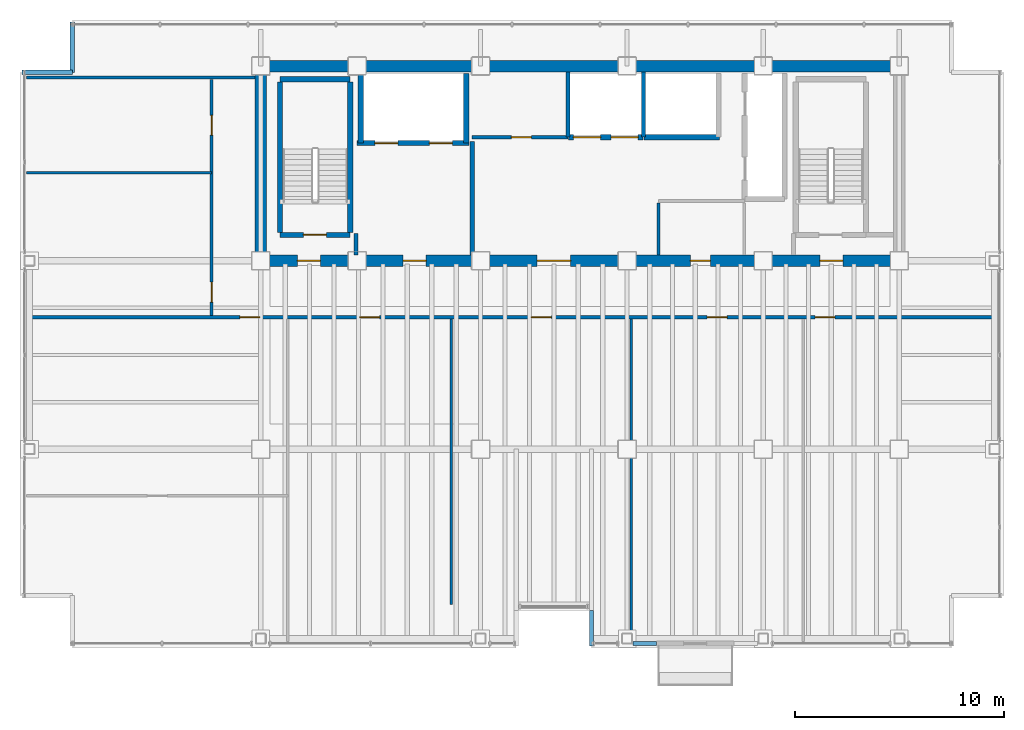
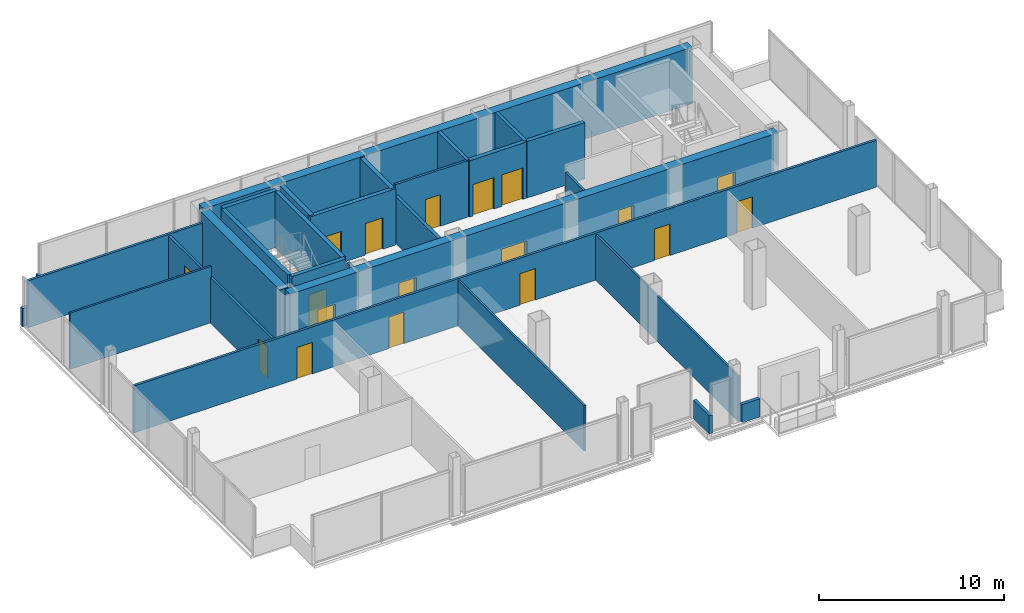
# One storey, part 18 of 20: 28 walls, 18 doors, 18 openings.
"""IFC4 building model written with IfcOpenShell, lengths in metres."""

from ifc_helpers import new_model, si_unit, direction, frame, frame_2d, origin, place, context, subcontext, project, spatial, rectangle, extrude, material, layer, layer_set, type_object, element, fill, save


model = new_model("IFC4")

# Units and contexts
model_context = context("Model", 3, precision=1e-05, world=origin(), true_north=direction((0.0, 1.0)))
body_context = subcontext(model_context, "Body", "Model", "MODEL_VIEW")
ifc_project = project(units=[si_unit("LENGTHUNIT", "METRE"), si_unit("AREAUNIT", "SQUARE_METRE"), si_unit("VOLUMEUNIT", "CUBIC_METRE"), si_unit("PLANEANGLEUNIT", "RADIAN"), si_unit("MASSUNIT", "GRAM", prefix="KILO")], contexts=[model_context])

# Site, building, storey
site_placement = place(None, origin())
site = spatial("IfcSite", under=ifc_project, at=site_placement, CompositionType="ELEMENT")
building_placement = place(site_placement, origin())
building = spatial("IfcBuilding", under=site, at=building_placement, Name="Noeulbin Bourse Tower", CompositionType="ELEMENT")
storey_placement = place(building_placement, frame((0.0, 0.0, 122.699951171875)))
storey = spatial("IfcBuildingStorey", under=building, at=storey_placement, Name="L30", CompositionType="ELEMENT", Elevation=122.699951171875)

# Wall, openings, doors
ifc_material_1 = material(Name="Concrete C60/75", Category="concrete")
ifc_layer_1 = layer(ifc_material_1, 0.550048828125)
ifc_layer_set_1 = layer_set([ifc_layer_1], Name="Concrete C60/75")
wall_type_1 = type_object("IfcWallType", Name="WAL-CORE-550", PredefinedType="SHEAR", material=ifc_layer_set_1)
wall_1_placement = place(storey_placement, frame((13.5, 29.0, 0.0), z_axis=(0.0, 0.0, 1.0), x_axis=(1.0, 0.0, 0.0)))
wall_1 = element("IfcWall", 1, at=wall_1_placement, inside=storey, type_object=wall_type_1, Name="Rear Core South Shear Wall L30", PredefinedType="SHEAR", context=body_context, shape_type="SweptSolid", body=[
    extrude(rectangle(XDim=30.5, YDim=0.550048828125, at=frame_2d((15.25, 0.0))), origin(), (0.0, 0.0, 1.0), 3.719970703125),
])
opening_1_placement = place(wall_1_placement, frame((1.75, 0.0, 0.0)))
opening_1 = element("IfcOpeningElement", 2, at=opening_1_placement, cuts=wall_1, Name="Opening FD-11", PredefinedType="OPENING", context=body_context, shape_type="SweptSolid", body=[
    extrude(rectangle(XDim=1.10009765625, YDim=2.080078125, at=frame_2d((0.550048828125, 1.0400390625))), frame((0.0, 0.284912109375, 0.0), z_axis=(0.0, -1.0, 0.0), x_axis=(1.0, 0.0, 0.0)), (0.0, 0.0, 1.0), 0.570068359375),
])
opening_2_placement = place(wall_1_placement, frame((26.699951171875, 0.0, 0.0)))
opening_2 = element("IfcOpeningElement", 3, at=opening_2_placement, cuts=wall_1, Name="Opening FD-11", PredefinedType="OPENING", context=body_context, shape_type="SweptSolid", body=[
    extrude(rectangle(XDim=1.10009765625, YDim=2.080078125, at=frame_2d((0.550048828125, 1.0400390625))), frame((0.0, 0.284912109375, 0.0), z_axis=(0.0, -1.0, 0.0), x_axis=(1.0, 0.0, 0.0)), (0.0, 0.0, 1.0), 0.570068359375),
])
opening_3_placement = place(wall_1_placement, frame((6.800048828125, 0.0, 0.0)))
opening_3 = element("IfcOpeningElement", 4, at=opening_3_placement, cuts=wall_1, Name="Opening FD-11", PredefinedType="OPENING", context=body_context, shape_type="SweptSolid", body=[
    extrude(rectangle(XDim=1.10009765625, YDim=2.080078125, at=frame_2d((0.550048828125, 1.0400390625))), frame((0.0, 0.284912109375, 0.0), z_axis=(0.0, -1.0, 0.0), x_axis=(1.0, 0.0, 0.0)), (0.0, 0.0, 1.0), 0.570068359375),
])
opening_4_placement = place(wall_1_placement, frame((13.199951171875, 0.0, 0.0)))
opening_4 = element("IfcOpeningElement", 5, at=opening_4_placement, cuts=wall_1, Name="Opening ID-16", PredefinedType="OPENING", context=body_context, shape_type="SweptSolid", body=[
    extrude(rectangle(XDim=1.60009765625, YDim=2.080078125, at=frame_2d((0.800048828125, 1.0400390625))), frame((0.0, 0.284912109375, 0.0), z_axis=(0.0, -1.0, 0.0), x_axis=(1.0, 0.0, 0.0)), (0.0, 0.0, 1.0), 0.570068359375),
])
opening_5_placement = place(wall_1_placement, frame((20.52490234375, 0.0, 0.0)))
opening_5 = element("IfcOpeningElement", 6, at=opening_5_placement, cuts=wall_1, Name="Opening ID-09", PredefinedType="OPENING", context=body_context, shape_type="SweptSolid", body=[
    extrude(rectangle(XDim=0.949951171875, YDim=2.080078125, at=frame_2d((0.47509765625, 1.0400390625))), frame((0.0, 0.284912109375, 0.0), z_axis=(0.0, -1.0, 0.0), x_axis=(1.0, 0.0, 0.0)), (0.0, 0.0, 1.0), 0.570068359375),
])
ifc_material_2 = material(Name="Acoustic Glazed Aluminium", Category="aluminium")
door_type_1 = type_object("IfcDoorType", Name="DR-DBL-1600", OperationType="DOUBLE_DOOR_SINGLE_SWING", PredefinedType="DOOR", material=ifc_material_2)
door_1_placement = place(opening_4_placement, origin())
door_1 = element("IfcDoor", 7, at=door_1_placement, inside=storey, type_object=door_type_1, Name="Passenger Lift Lobby Portal L30", OperationType="DOUBLE_DOOR_SINGLE_SWING", OverallHeight=2.080078125, OverallWidth=1.60009765625, PredefinedType="DOOR", context=body_context, shape_type="SweptSolid", body=[
    extrude(rectangle(XDim=1.60009765625, YDim=2.080078125, at=frame_2d((0.800048828125, 1.0400390625))), frame((0.0, 0.02490234375, 0.0), z_axis=(0.0, -1.0, 0.0), x_axis=(1.0, 0.0, 0.0)), (0.0, 0.0, 1.0), 0.050048828125),
])
fill(opening_4, door_1)
ifc_material_3 = material(Name="Fire-Rated Insulated Steel", Category="steel")
door_type_2 = type_object("IfcDoorType", Name="DR-FD60-1100", OperationType="SINGLE_SWING_LEFT", PredefinedType="DOOR", material=ifc_material_3)
door_2_placement = place(opening_1_placement, origin())
door_2 = element("IfcDoor", 8, at=door_2_placement, inside=storey, type_object=door_type_2, Name="West Stair Lobby Door L30", OperationType="SINGLE_SWING_LEFT", OverallHeight=2.080078125, OverallWidth=1.10009765625, PredefinedType="DOOR", context=body_context, shape_type="SweptSolid", body=[
    extrude(rectangle(XDim=1.10009765625, YDim=2.080078125, at=frame_2d((0.550048828125, 1.0400390625))), frame((0.0, 0.02490234375, 0.0), z_axis=(0.0, -1.0, 0.0), x_axis=(1.0, 0.0, 0.0)), (0.0, 0.0, 1.0), 0.050048828125),
])
fill(opening_1, door_2)
door_3_placement = place(opening_2_placement, origin())
door_3 = element("IfcDoor", 9, at=door_3_placement, inside=storey, type_object=door_type_2, Name="East Stair Lobby Door L30", OperationType="SINGLE_SWING_RIGHT", OverallHeight=2.080078125, OverallWidth=1.10009765625, PredefinedType="DOOR", context=body_context, shape_type="SweptSolid", body=[
    extrude(rectangle(XDim=1.10009765625, YDim=2.080078125, at=frame_2d((0.550048828125, 1.0400390625))), frame((0.0, 0.02490234375, 0.0), z_axis=(0.0, -1.0, 0.0), x_axis=(1.0, 0.0, 0.0)), (0.0, 0.0, 1.0), 0.050048828125),
])
fill(opening_2, door_3)
door_4_placement = place(opening_3_placement, origin())
door_4 = element("IfcDoor", 10, at=door_4_placement, inside=storey, type_object=door_type_2, Name="Firefighting Lobby Door L30", OperationType="SINGLE_SWING_LEFT", OverallHeight=2.080078125, OverallWidth=1.10009765625, PredefinedType="DOOR", context=body_context, shape_type="SweptSolid", body=[
    extrude(rectangle(XDim=1.10009765625, YDim=2.080078125, at=frame_2d((0.550048828125, 1.0400390625))), frame((0.0, 0.02490234375, 0.0), z_axis=(0.0, -1.0, 0.0), x_axis=(1.0, 0.0, 0.0)), (0.0, 0.0, 1.0), 0.050048828125),
])
fill(opening_3, door_4)
ifc_material_4 = material(Name="Acoustic Solid-Core Timber", Category="wood")
door_type_3 = type_object("IfcDoorType", Name="DR-SINGLE-950", OperationType="SINGLE_SWING_LEFT", PredefinedType="DOOR", material=ifc_material_4)
door_5_placement = place(opening_5_placement, origin())
door_5 = element("IfcDoor", 11, at=door_5_placement, inside=storey, type_object=door_type_3, Name="Interior Door L30-06", OperationType="SINGLE_SWING_RIGHT", OverallHeight=2.080078125, OverallWidth=0.949951171875, PredefinedType="DOOR", context=body_context, shape_type="SweptSolid", body=[
    extrude(rectangle(XDim=0.949951171875, YDim=2.080078125, at=frame_2d((0.47509765625, 1.0400390625))), frame((0.0, 0.02490234375, 0.0), z_axis=(0.0, -1.0, 0.0), x_axis=(1.0, 0.0, 0.0)), (0.0, 0.0, 1.0), 0.050048828125),
])
fill(opening_5, door_5)

# Walls
wall_2_placement = place(storey_placement, frame((13.5, 38.300048828125, 0.0), z_axis=(0.0, 0.0, 1.0), x_axis=(1.0, 0.0, 0.0)))
element("IfcWall", 12, at=wall_2_placement, inside=storey, type_object=wall_type_1, Name="Rear Core North Shear Wall L30", PredefinedType="SHEAR", context=body_context, shape_type="SweptSolid", body=[
    extrude(rectangle(XDim=30.5, YDim=0.550048828125, at=frame_2d((15.25, 0.0))), origin(), (0.0, 0.0, 1.0), 3.719970703125),
])
wall_3_placement = place(storey_placement, frame((13.5, 29.35009765625, 0.0), z_axis=(0.0, 0.0, 1.0), x_axis=(0.0, 1.0, 0.0)))
element("IfcWall", 13, at=wall_3_placement, inside=storey, type_object=wall_type_1, Name="Rear Core West Shear Wall L30", PredefinedType="SHEAR", context=body_context, shape_type="SweptSolid", body=[
    extrude(rectangle(XDim=8.599853515625, YDim=0.550048828125, at=frame_2d((4.2998046875, 0.0))), origin(), (0.0, 0.0, 1.0), 3.719970703125),
])
ifc_material_5 = material(Name="Concrete C40/50", Category="concrete")
ifc_layer_2 = layer(ifc_material_5, 0.199951171875)
ifc_layer_set_2 = layer_set([ifc_layer_2], Name="Concrete C40/50")
wall_type_2 = type_object("IfcWallType", Name="WAL-FIRE-200", PredefinedType="STANDARD", material=ifc_layer_set_2)
wall_4_placement = place(storey_placement, frame((18.050048828125, 29.284912109375, 0.0), z_axis=(0.0, 0.0, 1.0), x_axis=(0.0, 1.0, 0.0)))
element("IfcWall", 14, at=wall_4_placement, inside=storey, type_object=wall_type_2, Name="Interior Partition Wall L30-08", PredefinedType="STANDARD", context=body_context, shape_type="SweptSolid", body=[
    extrude(rectangle(XDim=1.01513671875, YDim=0.199951171875, at=frame_2d((0.507568359375, 0.0))), origin(), (0.0, 0.0, 1.0), 3.300048828125),
])
wall_5_placement = place(storey_placement, frame((23.60009765625, 29.284912109375, 0.0), z_axis=(0.0, 0.0, 1.0), x_axis=(0.0, 1.0, 0.0)))
element("IfcWall", 15, at=wall_5_placement, inside=storey, type_object=wall_type_2, Name="Interior Partition Wall L30-10", PredefinedType="STANDARD", context=body_context, shape_type="SweptSolid", body=[
    extrude(rectangle(XDim=5.4150390625, YDim=0.199951171875, at=frame_2d((2.70751953125, 0.0))), origin(), (0.0, 0.0, 1.0), 3.10009765625),
])
ifc_layer_3 = layer(ifc_material_5, 0.199951171875)
ifc_layer_set_3 = layer_set([ifc_layer_3], Name="Concrete C40/50")
wall_type_3 = type_object("IfcWallType", Name="WAL-PAR-200", PredefinedType="PARAPET", material=ifc_layer_set_3)
wall_6_placement = place(storey_placement, frame((31.27001953125, 10.719970703125, 0.0), z_axis=(0.0, 0.0, 1.0), x_axis=(1.0, 0.0, 0.0)))
element("IfcWall", 16, at=wall_6_placement, inside=storey, type_object=wall_type_3, Name="Perimeter Pier Spandrel Parapet L30-S1", PredefinedType="PARAPET", context=body_context, shape_type="SweptSolid", body=[
    extrude(rectangle(XDim=1.1298828125, YDim=0.199951171875, at=frame_2d((0.56494140625, 0.0))), origin(), (0.0, 0.0, 1.0), 1.199951171875),
])
for number, where, z_axis, x_axis, name in (
    (17, (2.10009765625, 38.0, 0.0), (0.0, 0.0, 1.0), (1.0, 0.0, 0.0), "Corner Notch Parapet L30-NW1"),
    (18, (4.5, 38.0, 0.0), (0.0, 0.0, 1.0), (0.0, 1.0, 0.0), "Corner Notch Parapet L30-NW2"),
):
    element("IfcWall", number, at=place(storey_placement, frame(where, z_axis=z_axis, x_axis=x_axis)), inside=storey, type_object=wall_type_3, Name=name, PredefinedType="PARAPET", context=body_context, shape_type="SweptSolid", body=[
        extrude(rectangle(XDim=2.39990234375, YDim=0.199951171875, at=frame_2d((1.199951171875, 0.0))), origin(), (0.0, 0.0, 1.0), 1.199951171875),
    ])
wall_7_placement = place(storey_placement, frame((29.300048828125, 12.300048828125, 0.0), z_axis=(0.0, 0.0, 1.0), x_axis=(0.0, -1.0, 0.0)))
element("IfcWall", 19, at=wall_7_placement, inside=storey, type_object=wall_type_3, Name="Sky-Garden Recess Parapet L30-E", PredefinedType="PARAPET", context=body_context, shape_type="SweptSolid", body=[
    extrude(rectangle(XDim=1.699951171875, YDim=0.199951171875, at=frame_2d((0.85009765625, 0.0))), origin(), (0.0, 0.0, 1.0), 1.199951171875),
])
ifc_material_6 = material(Name="Steel Stud Gypsum Partition", Category="steel")
ifc_layer_4 = layer(ifc_material_6, 0.1201171875)
ifc_layer_set_4 = layer_set([ifc_layer_4], Name="Steel Stud Gypsum Partition")
wall_type_4 = type_object("IfcWallType", Name="WAL-PRT-120", PredefinedType="PARTITIONING", material=ifc_layer_set_4)
wall_8_placement = place(storey_placement, frame((2.31005859375, 33.199951171875, 0.0), z_axis=(0.0, 0.0, 1.0), x_axis=(1.0, 0.0, 0.0)))
element("IfcWall", 20, at=wall_8_placement, inside=storey, type_object=wall_type_4, Name="Interior Partition Wall L30-07", PredefinedType="PARTITIONING", context=body_context, shape_type="SweptSolid", body=[
    extrude(rectangle(XDim=8.83984375, YDim=0.1201171875, at=frame_2d((4.419921875, 0.0))), origin(), (0.0, 0.0, 1.0), 3.719970703125),
])
wall_9_placement = place(storey_placement, frame((22.60009765625, 12.570068359375, 0.0), z_axis=(0.0, 0.0, 1.0), x_axis=(0.0, 1.0, 0.0)))
element("IfcWall", 21, at=wall_9_placement, inside=storey, type_object=wall_type_4, Name="Interior Partition Wall L30-15", PredefinedType="PARTITIONING", context=body_context, shape_type="SweptSolid", body=[
    extrude(rectangle(XDim=13.64501953125, YDim=0.1201171875, at=frame_2d((6.822509765625, 0.0))), origin(), (0.0, 0.0, 1.0), 3.0),
])
wall_10_placement = place(storey_placement, frame((31.199951171875, 10.81005859375, 0.0), z_axis=(0.0, 0.0, 1.0), x_axis=(0.0, 1.0, 0.0)))
element("IfcWall", 22, at=wall_10_placement, inside=storey, type_object=wall_type_4, Name="Interior Partition Wall L30-16", PredefinedType="PARTITIONING", context=body_context, shape_type="SweptSolid", body=[
    extrude(rectangle(XDim=15.405029296875, YDim=0.1201171875, at=frame_2d((7.70263671875, 0.0))), origin(), (0.0, 0.0, 1.0), 3.0),
])

# Wall, opening, door
ifc_material_7 = material(Name="Steel Stud Acoustic Gypsum Board", Category="steel")
ifc_layer_5 = layer(ifc_material_7, 0.14990234375)
ifc_layer_set_5 = layer_set([ifc_layer_5], Name="Steel Stud Acoustic Gypsum Board")
wall_type_5 = type_object("IfcWallType", Name="WAL-PRT-150", PredefinedType="PARTITIONING", material=ifc_layer_set_5)
wall_11_placement = place(storey_placement, frame((23.60009765625, 34.89990234375, 0.0), z_axis=(0.0, 0.0, 1.0), x_axis=(1.0, 0.0, 0.0)))
wall_11 = element("IfcWall", 23, at=wall_11_placement, inside=storey, type_object=wall_type_5, Name="Interior Partition Wall L30-02", PredefinedType="PARTITIONING", context=body_context, shape_type="SweptSolid", body=[
    extrude(rectangle(XDim=4.579833984375, YDim=0.14990234375, at=frame_2d((2.2900390625, 0.0))), origin(), (0.0, 0.0, 1.0), 3.719970703125),
])
opening_6_placement = place(wall_11_placement, frame((1.875, 0.0, 0.0)))
opening_6 = element("IfcOpeningElement", 24, at=opening_6_placement, cuts=wall_11, Name="Opening ID-09", PredefinedType="OPENING", context=body_context, shape_type="SweptSolid", body=[
    extrude(rectangle(XDim=0.949951171875, YDim=2.080078125, at=frame_2d((0.47509765625, 1.0400390625))), frame((0.0, 0.0849609375, 0.0), z_axis=(0.0, -1.0, 0.0), x_axis=(1.0, 0.0, 0.0)), (0.0, 0.0, 1.0), 0.169921875),
])
door_6_placement = place(opening_6_placement, origin())
door_6 = element("IfcDoor", 25, at=door_6_placement, inside=storey, type_object=door_type_3, Name="Archive Room Door L30", OperationType="SINGLE_SWING_LEFT", OverallHeight=2.080078125, OverallWidth=0.949951171875, PredefinedType="DOOR", context=body_context, shape_type="SweptSolid", body=[
    extrude(rectangle(XDim=0.949951171875, YDim=2.080078125, at=frame_2d((0.47509765625, 1.0400390625))), frame((0.0, 0.02490234375, 0.0), z_axis=(0.0, -1.0, 0.0), x_axis=(1.0, 0.0, 0.0)), (0.0, 0.0, 1.0), 0.050048828125),
])
fill(opening_6, door_6)

# Wall, openings, doors
wall_12_placement = place(storey_placement, frame((2.31005859375, 26.300048828125, 0.0), z_axis=(0.0, 0.0, 1.0), x_axis=(1.0, 0.0, 0.0)))
wall_12 = element("IfcWall", 26, at=wall_12_placement, inside=storey, type_object=wall_type_5, Name="Interior Partition Wall L30-04", PredefinedType="PARTITIONING", context=body_context, shape_type="SweptSolid", body=[
    extrude(rectangle(XDim=46.3798828125, YDim=0.14990234375, at=frame_2d((23.18994140625, 0.0))), origin(), (0.0, 0.0, 1.0), 3.10009765625),
])
opening_7_placement = place(wall_12_placement, frame((10.18994140625, 0.0, 0.0)))
opening_7 = element("IfcOpeningElement", 27, at=opening_7_placement, cuts=wall_12, Name="Opening ID-09", PredefinedType="OPENING", context=body_context, shape_type="SweptSolid", body=[
    extrude(rectangle(XDim=0.949951171875, YDim=2.080078125, at=frame_2d((0.47509765625, 1.0400390625))), frame((0.0, 0.0849609375, 0.0), z_axis=(0.0, -1.0, 0.0), x_axis=(1.0, 0.0, 0.0)), (0.0, 0.0, 1.0), 0.169921875),
])
opening_8_placement = place(wall_12_placement, frame((15.9150390625, 0.0, 0.0)))
opening_8 = element("IfcOpeningElement", 28, at=opening_8_placement, cuts=wall_12, Name="Opening ID-09", PredefinedType="OPENING", context=body_context, shape_type="SweptSolid", body=[
    extrude(rectangle(XDim=0.949951171875, YDim=2.080078125, at=frame_2d((0.47509765625, 1.0400390625))), frame((0.0, 0.0849609375, 0.0), z_axis=(0.0, -1.0, 0.0), x_axis=(1.0, 0.0, 0.0)), (0.0, 0.0, 1.0), 0.169921875),
])
opening_9_placement = place(wall_12_placement, frame((24.114990234375, 0.0, 0.0)))
opening_9 = element("IfcOpeningElement", 29, at=opening_9_placement, cuts=wall_12, Name="Opening ID-09", PredefinedType="OPENING", context=body_context, shape_type="SweptSolid", body=[
    extrude(rectangle(XDim=0.949951171875, YDim=2.080078125, at=frame_2d((0.47509765625, 1.0400390625))), frame((0.0, 0.0849609375, 0.0), z_axis=(0.0, -1.0, 0.0), x_axis=(1.0, 0.0, 0.0)), (0.0, 0.0, 1.0), 0.169921875),
])
opening_10_placement = place(wall_12_placement, frame((32.514892578125, 0.0, 0.0)))
opening_10 = element("IfcOpeningElement", 30, at=opening_10_placement, cuts=wall_12, Name="Opening ID-09", PredefinedType="OPENING", context=body_context, shape_type="SweptSolid", body=[
    extrude(rectangle(XDim=0.949951171875, YDim=2.080078125, at=frame_2d((0.47509765625, 1.0400390625))), frame((0.0, 0.0849609375, 0.0), z_axis=(0.0, -1.0, 0.0), x_axis=(1.0, 0.0, 0.0)), (0.0, 0.0, 1.0), 0.169921875),
])
opening_11_placement = place(wall_12_placement, frame((37.6650390625, 0.0, 0.0)))
opening_11 = element("IfcOpeningElement", 31, at=opening_11_placement, cuts=wall_12, Name="Opening ID-09", PredefinedType="OPENING", context=body_context, shape_type="SweptSolid", body=[
    extrude(rectangle(XDim=0.949951171875, YDim=2.080078125, at=frame_2d((0.47509765625, 1.0400390625))), frame((0.0, 0.0849609375, 0.0), z_axis=(0.0, -1.0, 0.0), x_axis=(1.0, 0.0, 0.0)), (0.0, 0.0, 1.0), 0.169921875),
])
door_7_placement = place(opening_7_placement, origin())
door_7 = element("IfcDoor", 32, at=door_7_placement, inside=storey, type_object=door_type_3, Name="Interior Door L30-08", OperationType="SINGLE_SWING_RIGHT", OverallHeight=2.080078125, OverallWidth=0.949951171875, PredefinedType="DOOR", context=body_context, shape_type="SweptSolid", body=[
    extrude(rectangle(XDim=0.949951171875, YDim=2.080078125, at=frame_2d((0.47509765625, 1.0400390625))), frame((0.0, 0.02490234375, 0.0), z_axis=(0.0, -1.0, 0.0), x_axis=(1.0, 0.0, 0.0)), (0.0, 0.0, 1.0), 0.050048828125),
])
fill(opening_7, door_7)
door_8_placement = place(opening_8_placement, origin())
door_8 = element("IfcDoor", 33, at=door_8_placement, inside=storey, type_object=door_type_3, Name="Interior Door L30-09", OperationType="SINGLE_SWING_LEFT", OverallHeight=2.080078125, OverallWidth=0.949951171875, PredefinedType="DOOR", context=body_context, shape_type="SweptSolid", body=[
    extrude(rectangle(XDim=0.949951171875, YDim=2.080078125, at=frame_2d((0.47509765625, 1.0400390625))), frame((0.0, 0.02490234375, 0.0), z_axis=(0.0, -1.0, 0.0), x_axis=(1.0, 0.0, 0.0)), (0.0, 0.0, 1.0), 0.050048828125),
])
fill(opening_8, door_8)
door_9_placement = place(opening_9_placement, origin())
door_9 = element("IfcDoor", 34, at=door_9_placement, inside=storey, type_object=door_type_3, Name="Interior Door L30-10", OperationType="SINGLE_SWING_RIGHT", OverallHeight=2.080078125, OverallWidth=0.949951171875, PredefinedType="DOOR", context=body_context, shape_type="SweptSolid", body=[
    extrude(rectangle(XDim=0.949951171875, YDim=2.080078125, at=frame_2d((0.47509765625, 1.0400390625))), frame((0.0, 0.02490234375, 0.0), z_axis=(0.0, -1.0, 0.0), x_axis=(1.0, 0.0, 0.0)), (0.0, 0.0, 1.0), 0.050048828125),
])
fill(opening_9, door_9)
door_10_placement = place(opening_10_placement, origin())
door_10 = element("IfcDoor", 35, at=door_10_placement, inside=storey, type_object=door_type_3, Name="Interior Door L30-11", OperationType="SINGLE_SWING_LEFT", OverallHeight=2.080078125, OverallWidth=0.949951171875, PredefinedType="DOOR", context=body_context, shape_type="SweptSolid", body=[
    extrude(rectangle(XDim=0.949951171875, YDim=2.080078125, at=frame_2d((0.47509765625, 1.0400390625))), frame((0.0, 0.02490234375, 0.0), z_axis=(0.0, -1.0, 0.0), x_axis=(1.0, 0.0, 0.0)), (0.0, 0.0, 1.0), 0.050048828125),
])
fill(opening_10, door_10)
door_11_placement = place(opening_11_placement, origin())
door_11 = element("IfcDoor", 36, at=door_11_placement, inside=storey, type_object=door_type_3, Name="Interior Door L30-12", OperationType="SINGLE_SWING_RIGHT", OverallHeight=2.080078125, OverallWidth=0.949951171875, PredefinedType="DOOR", context=body_context, shape_type="SweptSolid", body=[
    extrude(rectangle(XDim=0.949951171875, YDim=2.080078125, at=frame_2d((0.47509765625, 1.0400390625))), frame((0.0, 0.02490234375, 0.0), z_axis=(0.0, -1.0, 0.0), x_axis=(1.0, 0.0, 0.0)), (0.0, 0.0, 1.0), 0.050048828125),
])
fill(opening_11, door_11)

# Walls
wall_13_placement = place(storey_placement, frame((2.31005859375, 37.75, 0.0), z_axis=(0.0, 0.0, 1.0), x_axis=(1.0, 0.0, 0.0)))
element("IfcWall", 37, at=wall_13_placement, inside=storey, type_object=wall_type_5, Name="Interior Partition Wall L30-05", PredefinedType="PARTITIONING", context=body_context, shape_type="SweptSolid", body=[
    extrude(rectangle(XDim=10.905029296875, YDim=0.14990234375, at=frame_2d((5.45263671875, 0.0))), origin(), (0.0, 0.0, 1.0), 3.10009765625),
])
wall_14_placement = place(storey_placement, frame((32.5, 29.284912109375, 0.0), z_axis=(0.0, 0.0, 1.0), x_axis=(0.0, 1.0, 0.0)))
element("IfcWall", 38, at=wall_14_placement, inside=storey, type_object=wall_type_5, Name="Interior Partition Wall L30-11", PredefinedType="PARTITIONING", context=body_context, shape_type="SweptSolid", body=[
    extrude(rectangle(XDim=2.47998046875, YDim=0.14990234375, at=frame_2d((1.239990234375, 0.0))), origin(), (0.0, 0.0, 1.0), 3.300048828125),
])

# Wall, openings, doors
wall_15_placement = place(storey_placement, frame((11.14990234375, 26.385009765625, 0.0), z_axis=(0.0, 0.0, 1.0), x_axis=(0.0, 1.0, 0.0)))
wall_15 = element("IfcWall", 39, at=wall_15_placement, inside=storey, type_object=wall_type_5, Name="Interior Partition Wall L30-13", PredefinedType="PARTITIONING", context=body_context, shape_type="SweptSolid", body=[
    extrude(rectangle(XDim=11.280029296875, YDim=0.14990234375, at=frame_2d((5.64013671875, 0.0))), origin(), (0.0, 0.0, 1.0), 3.0),
])
opening_12_placement = place(wall_15_placement, frame((0.639892578125, 0.0, 0.0)))
opening_12 = element("IfcOpeningElement", 40, at=opening_12_placement, cuts=wall_15, Name="Opening ID-09", PredefinedType="OPENING", context=body_context, shape_type="SweptSolid", body=[
    extrude(rectangle(XDim=0.949951171875, YDim=2.080078125, at=frame_2d((0.47509765625, 1.0400390625))), frame((0.0, 0.0849609375, 0.0), z_axis=(0.0, -1.0, 0.0), x_axis=(1.0, 0.0, 0.0)), (0.0, 0.0, 1.0), 0.169921875),
])
opening_13_placement = place(wall_15_placement, frame((8.614990234375, 0.0, 0.0)))
opening_13 = element("IfcOpeningElement", 41, at=opening_13_placement, cuts=wall_15, Name="Opening ID-09", PredefinedType="OPENING", context=body_context, shape_type="SweptSolid", body=[
    extrude(rectangle(XDim=0.949951171875, YDim=2.080078125, at=frame_2d((0.47509765625, 1.0400390625))), frame((0.0, 0.0849609375, 0.0), z_axis=(0.0, -1.0, 0.0), x_axis=(1.0, 0.0, 0.0)), (0.0, 0.0, 1.0), 0.169921875),
])
door_12_placement = place(opening_12_placement, origin())
door_12 = element("IfcDoor", 42, at=door_12_placement, inside=storey, type_object=door_type_3, Name="Interior Door L30-13", OperationType="SINGLE_SWING_LEFT", OverallHeight=2.080078125, OverallWidth=0.949951171875, PredefinedType="DOOR", context=body_context, shape_type="SweptSolid", body=[
    extrude(rectangle(XDim=0.949951171875, YDim=2.080078125, at=frame_2d((0.47509765625, 1.0400390625))), frame((0.0, 0.02490234375, 0.0), z_axis=(0.0, -1.0, 0.0), x_axis=(1.0, 0.0, 0.0)), (0.0, 0.0, 1.0), 0.050048828125),
])
fill(opening_12, door_12)
door_13_placement = place(opening_13_placement, origin())
door_13 = element("IfcDoor", 43, at=door_13_placement, inside=storey, type_object=door_type_3, Name="Interior Door L30-14", OperationType="SINGLE_SWING_RIGHT", OverallHeight=2.080078125, OverallWidth=0.949951171875, PredefinedType="DOOR", context=body_context, shape_type="SweptSolid", body=[
    extrude(rectangle(XDim=0.949951171875, YDim=2.080078125, at=frame_2d((0.47509765625, 1.0400390625))), frame((0.0, 0.02490234375, 0.0), z_axis=(0.0, -1.0, 0.0), x_axis=(1.0, 0.0, 0.0)), (0.0, 0.0, 1.0), 0.050048828125),
])
fill(opening_13, door_13)

# Wall, opening, door
ifc_layer_6 = layer(ifc_material_5, 0.25)
ifc_layer_set_6 = layer_set([ifc_layer_6], Name="Concrete C40/50")
wall_type_6 = type_object("IfcWallType", Name="WAL-SHFT-250", PredefinedType="STANDARD", material=ifc_layer_set_6)
wall_16_placement = place(storey_placement, frame((14.429931640625, 30.235107421875, 0.0), z_axis=(0.0, 0.0, 1.0), x_axis=(1.0, 0.0, 0.0)))
wall_16 = element("IfcWall", 44, at=wall_16_placement, inside=storey, type_object=wall_type_6, Name="Stair ST-1 South Shaft Wall L30", PredefinedType="STANDARD", context=body_context, shape_type="SweptSolid", body=[
    extrude(rectangle(XDim=3.340087890625, YDim=0.25, at=frame_2d((1.669921875, 0.0))), origin(), (0.0, 0.0, 1.0), 3.719970703125),
])
opening_14_placement = place(wall_16_placement, frame((1.10009765625, 0.0, 0.0)))
opening_14 = element("IfcOpeningElement", 45, at=opening_14_placement, cuts=wall_16, Name="Opening FD-11", PredefinedType="OPENING", context=body_context, shape_type="SweptSolid", body=[
    extrude(rectangle(XDim=1.10009765625, YDim=2.080078125, at=frame_2d((0.550048828125, 1.0400390625))), frame((0.0, 0.135009765625, 0.0), z_axis=(0.0, -1.0, 0.0), x_axis=(1.0, 0.0, 0.0)), (0.0, 0.0, 1.0), 0.27001953125),
])
door_14_placement = place(opening_14_placement, origin())
door_14 = element("IfcDoor", 46, at=door_14_placement, inside=storey, type_object=door_type_2, Name="Protected Stair Entry Door ST1-L30", OperationType="SINGLE_SWING_LEFT", OverallHeight=2.080078125, OverallWidth=1.10009765625, PredefinedType="DOOR", context=body_context, shape_type="SweptSolid", body=[
    extrude(rectangle(XDim=1.10009765625, YDim=2.080078125, at=frame_2d((0.550048828125, 1.0400390625))), frame((0.0, 0.02490234375, 0.0), z_axis=(0.0, -1.0, 0.0), x_axis=(1.0, 0.0, 0.0)), (0.0, 0.0, 1.0), 0.050048828125),
])
fill(opening_14, door_14)

# Walls
wall_17_placement = place(storey_placement, frame((14.429931640625, 37.6689453125, 0.0), z_axis=(0.0, 0.0, 1.0), x_axis=(1.0, 0.0, 0.0)))
element("IfcWall", 47, at=wall_17_placement, inside=storey, type_object=wall_type_6, Name="Stair ST-1 North Shaft Wall L30", PredefinedType="STANDARD", context=body_context, shape_type="SweptSolid", body=[
    extrude(rectangle(XDim=3.340087890625, YDim=0.25, at=frame_2d((1.669921875, 0.0))), origin(), (0.0, 0.0, 1.0), 3.719970703125),
])
for number, where, z_axis, x_axis, name in (
    (48, (14.425048828125, 30.360107421875, 0.0), (0.0, 0.0, 1.0), (0.0, 1.0, 0.0), "Stair ST-1 West Shaft Wall L30"),
    (49, (17.77490234375, 30.360107421875, 0.0), (0.0, 0.0, 1.0), (0.0, 1.0, 0.0), "Stair ST-1 East Shaft Wall L30"),
):
    element("IfcWall", number, at=place(storey_placement, frame(where, z_axis=z_axis, x_axis=x_axis)), inside=storey, type_object=wall_type_6, Name=name, PredefinedType="STANDARD", context=body_context, shape_type="SweptSolid", body=[
        extrude(rectangle(XDim=7.183837890625, YDim=0.25, at=frame_2d((3.591796875, 0.0))), origin(), (0.0, 0.0, 1.0), 3.719970703125),
    ])

# Wall, openings, doors
wall_18_placement = place(storey_placement, frame((18.10009765625, 34.6201171875, 0.0), z_axis=(0.0, 0.0, 1.0), x_axis=(1.0, 0.0, 0.0)))
wall_18 = element("IfcWall", 50, at=wall_18_placement, inside=storey, type_object=wall_type_6, Name="Firefighting Lift Shaft Front L30", PredefinedType="STANDARD", context=body_context, shape_type="SweptSolid", body=[
    extrude(rectangle(XDim=5.349853515625, YDim=0.25, at=frame_2d((2.6748046875, 0.0))), origin(), (0.0, 0.0, 1.0), 3.719970703125),
])
opening_15_placement = place(wall_18_placement, frame((0.85009765625, 0.0, 0.0)))
opening_15 = element("IfcOpeningElement", 51, at=opening_15_placement, cuts=wall_18, Name="Opening LD-11", PredefinedType="OPENING", context=body_context, shape_type="SweptSolid", body=[
    extrude(rectangle(XDim=1.10009765625, YDim=2.080078125, at=frame_2d((0.550048828125, 1.0400390625))), frame((0.0, 0.135009765625, 0.0), z_axis=(0.0, -1.0, 0.0), x_axis=(1.0, 0.0, 0.0)), (0.0, 0.0, 1.0), 0.27001953125),
])
opening_16_placement = place(wall_18_placement, frame((3.449951171875, 0.0, 0.0)))
opening_16 = element("IfcOpeningElement", 52, at=opening_16_placement, cuts=wall_18, Name="Opening LD-11", PredefinedType="OPENING", context=body_context, shape_type="SweptSolid", body=[
    extrude(rectangle(XDim=1.10009765625, YDim=2.080078125, at=frame_2d((0.550048828125, 1.0400390625))), frame((0.0, 0.135009765625, 0.0), z_axis=(0.0, -1.0, 0.0), x_axis=(1.0, 0.0, 0.0)), (0.0, 0.0, 1.0), 0.27001953125),
])
ifc_material_8 = material(Name="Brushed Stainless Steel 316", Category="steel")
door_type_4 = type_object("IfcDoorType", Name="DR-LIFT-1100", OperationType="SLIDING_TO_LEFT", PredefinedType="DOOR", material=ifc_material_8)
door_15_placement = place(opening_15_placement, origin())
door_15 = element("IfcDoor", 53, at=door_15_placement, inside=storey, type_object=door_type_4, Name="Lift Landing Door LD-FL-01-L30", OperationType="SLIDING_TO_LEFT", OverallHeight=2.080078125, OverallWidth=1.10009765625, PredefinedType="DOOR", context=body_context, shape_type="SweptSolid", body=[
    extrude(rectangle(XDim=1.10009765625, YDim=2.080078125, at=frame_2d((0.550048828125, 1.0400390625))), frame((0.0, 0.02490234375, 0.0), z_axis=(0.0, -1.0, 0.0), x_axis=(1.0, 0.0, 0.0)), (0.0, 0.0, 1.0), 0.050048828125),
])
fill(opening_15, door_15)
door_16_placement = place(opening_16_placement, origin())
door_16 = element("IfcDoor", 54, at=door_16_placement, inside=storey, type_object=door_type_4, Name="Lift Landing Door LD-FL-02-L30", OperationType="SLIDING_TO_LEFT", OverallHeight=2.080078125, OverallWidth=1.10009765625, PredefinedType="DOOR", context=body_context, shape_type="SweptSolid", body=[
    extrude(rectangle(XDim=1.10009765625, YDim=2.080078125, at=frame_2d((0.550048828125, 1.0400390625))), frame((0.0, 0.02490234375, 0.0), z_axis=(0.0, -1.0, 0.0), x_axis=(1.0, 0.0, 0.0)), (0.0, 0.0, 1.0), 0.050048828125),
])
fill(opening_16, door_16)

# Walls
for number, where, z_axis, x_axis, name in (
    (55, (18.280029296875, 34.6201171875, 0.0), (0.0, 0.0, 1.0), (0.0, 1.0, 0.0), "Firefighting Lift West Shaft Wall L30"),
    (56, (23.320068359375, 34.6201171875, 0.0), (0.0, 0.0, 1.0), (0.0, 1.0, 0.0), "Firefighting Lift East Shaft Wall L30"),
):
    element("IfcWall", number, at=place(storey_placement, frame(where, z_axis=z_axis, x_axis=x_axis)), inside=storey, type_object=wall_type_6, Name=name, PredefinedType="STANDARD", context=body_context, shape_type="SweptSolid", body=[
        extrude(rectangle(XDim=3.329833984375, YDim=0.25, at=frame_2d((1.6650390625, 0.0))), origin(), (0.0, 0.0, 1.0), 3.719970703125),
    ])

# Wall, openings, doors
wall_19_placement = place(storey_placement, frame((28.199951171875, 34.89990234375, 0.0), z_axis=(0.0, 0.0, 1.0), x_axis=(1.0, 0.0, 0.0)))
wall_19 = element("IfcWall", 57, at=wall_19_placement, inside=storey, type_object=wall_type_6, Name="Mid-Rise Lift Bank Front L30", PredefinedType="STANDARD", context=body_context, shape_type="SweptSolid", body=[
    extrude(rectangle(XDim=3.550048828125, YDim=0.25, at=frame_2d((1.77490234375, 0.0))), origin(), (0.0, 0.0, 1.0), 3.719970703125),
])
opening_17_placement = place(wall_19_placement, frame((0.22998046875, 0.0, 0.0)))
opening_17 = element("IfcOpeningElement", 58, at=opening_17_placement, cuts=wall_19, Name="Opening LD-13", PredefinedType="OPENING", context=body_context, shape_type="SweptSolid", body=[
    extrude(rectangle(XDim=1.300048828125, YDim=2.080078125, at=frame_2d((0.64990234375, 1.0400390625))), frame((0.0, 0.135009765625, 0.0), z_axis=(0.0, -1.0, 0.0), x_axis=(1.0, 0.0, 0.0)), (0.0, 0.0, 1.0), 0.27001953125),
])
opening_18_placement = place(wall_19_placement, frame((2.030029296875, 0.0, 0.0)))
opening_18 = element("IfcOpeningElement", 59, at=opening_18_placement, cuts=wall_19, Name="Opening LD-13", PredefinedType="OPENING", context=body_context, shape_type="SweptSolid", body=[
    extrude(rectangle(XDim=1.300048828125, YDim=2.080078125, at=frame_2d((0.64990234375, 1.0400390625))), frame((0.0, 0.135009765625, 0.0), z_axis=(0.0, -1.0, 0.0), x_axis=(1.0, 0.0, 0.0)), (0.0, 0.0, 1.0), 0.27001953125),
])
door_type_5 = type_object("IfcDoorType", Name="DR-LIFT-1300", OperationType="DOUBLE_DOOR_SLIDING", PredefinedType="DOOR", material=ifc_material_8)
door_17_placement = place(opening_17_placement, origin())
door_17 = element("IfcDoor", 60, at=door_17_placement, inside=storey, type_object=door_type_5, Name="Lift Landing Door LD-PL-M1-L30", OperationType="DOUBLE_DOOR_SLIDING", OverallHeight=2.080078125, OverallWidth=1.300048828125, PredefinedType="DOOR", context=body_context, shape_type="SweptSolid", body=[
    extrude(rectangle(XDim=1.300048828125, YDim=2.080078125, at=frame_2d((0.64990234375, 1.0400390625))), frame((0.0, 0.02490234375, 0.0), z_axis=(0.0, -1.0, 0.0), x_axis=(1.0, 0.0, 0.0)), (0.0, 0.0, 1.0), 0.050048828125),
])
fill(opening_17, door_17)
door_18_placement = place(opening_18_placement, origin())
door_18 = element("IfcDoor", 61, at=door_18_placement, inside=storey, type_object=door_type_5, Name="Lift Landing Door LD-PL-M2-L30", OperationType="DOUBLE_DOOR_SLIDING", OverallHeight=2.080078125, OverallWidth=1.300048828125, PredefinedType="DOOR", context=body_context, shape_type="SweptSolid", body=[
    extrude(rectangle(XDim=1.300048828125, YDim=2.080078125, at=frame_2d((0.64990234375, 1.0400390625))), frame((0.0, 0.02490234375, 0.0), z_axis=(0.0, -1.0, 0.0), x_axis=(1.0, 0.0, 0.0)), (0.0, 0.0, 1.0), 0.050048828125),
])
fill(opening_18, door_18)

# Walls
wall_20_placement = place(storey_placement, frame((31.800048828125, 34.89990234375, 0.0), z_axis=(0.0, 0.0, 1.0), x_axis=(1.0, 0.0, 0.0)))
element("IfcWall", 62, at=wall_20_placement, inside=storey, type_object=wall_type_6, Name="High-Rise Lift Bank Front L30", PredefinedType="STANDARD", context=body_context, shape_type="SweptSolid", body=[
    extrude(rectangle(XDim=3.599853515625, YDim=0.25, at=frame_2d((1.7998046875, 0.0))), origin(), (0.0, 0.0, 1.0), 3.719970703125),
])
for number, where, z_axis, x_axis, name in (
    (63, (28.179931640625, 34.89990234375, 0.0), (0.0, 0.0, 1.0), (0.0, 1.0, 0.0), "Hoistway Side Shaft Wall L30-PLMW"),
    (64, (31.780029296875, 34.89990234375, 0.0), (0.0, 0.0, 1.0), (0.0, 1.0, 0.0), "Hoistway Side Shaft Wall L30-PLHW"),
):
    element("IfcWall", number, at=place(storey_placement, frame(where, z_axis=z_axis, x_axis=x_axis)), inside=storey, type_object=wall_type_6, Name=name, PredefinedType="STANDARD", context=body_context, shape_type="SweptSolid", body=[
        extrude(rectangle(XDim=3.1201171875, YDim=0.199951171875, at=frame_2d((1.56005859375, 0.0))), origin(), (0.0, 0.0, 1.0), 3.719970703125),
    ])

save(model, "model.ifc")
